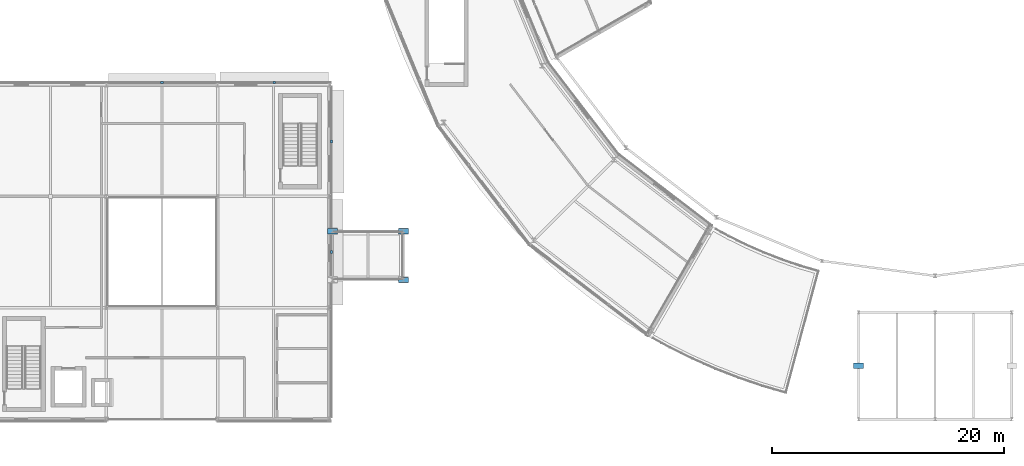
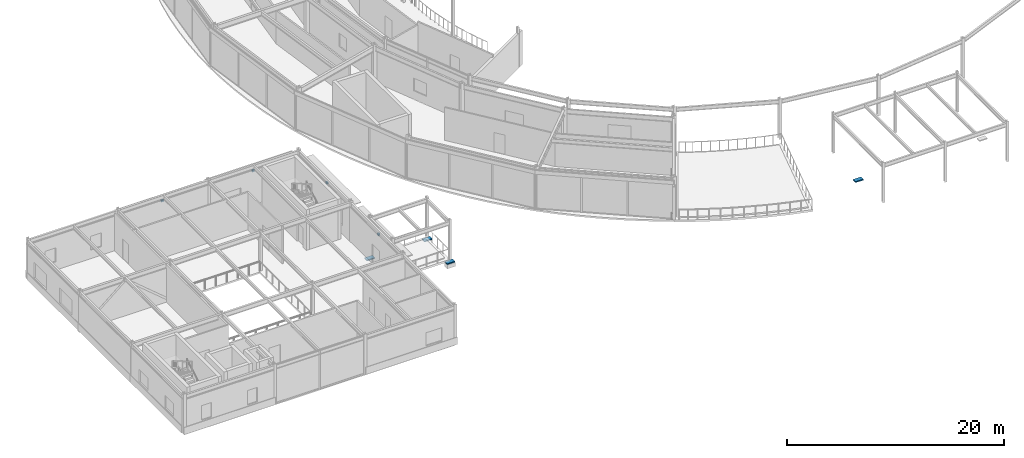
# One storey, part 130 of 157: 8 discrete accessories.
"""IFC4 building model written with IfcOpenShell, lengths in metres."""

from ifc_helpers import new_model, si_unit, direction, frame, origin, origin_2d, place, context, subcontext, project, spatial, rectangle, extrude, material, layer, layer_set, type_object, element, save


model = new_model("IFC4")

# Units and contexts
model_context = context("Model", 3, precision=1e-05, world=origin(), true_north=direction((0.0, 1.0)))
body_context = subcontext(model_context, "Body", "Model", "MODEL_VIEW")
ifc_project = project(units=[si_unit("LENGTHUNIT", "METRE"), si_unit("AREAUNIT", "SQUARE_METRE"), si_unit("VOLUMEUNIT", "CUBIC_METRE"), si_unit("PLANEANGLEUNIT", "RADIAN"), si_unit("MASSUNIT", "GRAM", prefix="KILO")], contexts=[model_context])

# Site, building, storey
site_placement = place(None, origin())
site = spatial("IfcSite", under=ifc_project, at=site_placement, CompositionType="ELEMENT")
building_placement = place(site_placement, origin())
building = spatial("IfcBuilding", under=site, at=building_placement, Name="Almandine Court Research Institute", CompositionType="ELEMENT")
storey_placement = place(building_placement, frame((0.0, 0.0, 5.25)))
storey = spatial("IfcBuildingStorey", under=building, at=storey_placement, Name="L01", CompositionType="ELEMENT", Elevation=5.25)

# Discrete accessories
ifc_material_1 = material(Name="Galvanised Steel Facade Outrigger Bracket", Category="steel")
ifc_layer_1 = layer(ifc_material_1, 0.219970703125)
ifc_layer_set_1 = layer_set([ifc_layer_1], Name="Galvanised Steel Facade Outrigger Bracket")
discrete_accessory_type_1 = type_object("IfcDiscreteAccessoryType", Name="Acc-CHJ-BRACKET", PredefinedType="BRACKET", material=ifc_layer_set_1)
for number, where, z_axis, x_axis, name in (
    (1, (20.39990234375, 35.014892578125, 3.4541015625), (0.0, 0.0, 1.0), (1.0, 0.0, 0.0), "L01 Chhajja Outrigger Bracket 4"),
    (2, (30.0791015625, 35.014892578125, 3.4541015625), (0.0, 0.0, 1.0), (1.0, 0.0, 0.0), "L01 Chhajja Outrigger Bracket 5"),
    (3, (35.0048828125, 20.39990234375, 3.43212890625), (0.0, 0.0, 1.0), (0.0, -1.0, 0.0), "L01 Chhajja Outrigger Bracket 6"),
    (4, (35.0048828125, 29.927978515625, 3.4541015625), (0.0, 0.0, 1.0), (0.0, -1.0, 0.0), "L01 Chhajja Outrigger Bracket 7"),
):
    element("IfcDiscreteAccessory", number, at=place(storey_placement, frame(where, z_axis=z_axis, x_axis=x_axis)), inside=storey, type_object=discrete_accessory_type_1, Name=name, PredefinedType="BRACKET", context=body_context, shape_type="SweptSolid", body=[
        extrude(rectangle(XDim=0.239990234375, YDim=0.179931640625, at=origin_2d()), origin(), (0.0, 0.0, 1.0), 0.219970703125),
    ])
ifc_material_2 = material(Name="Elastomeric PTFE Sliding Bearing Assembly")
ifc_layer_2 = layer(ifc_material_2, 0.1201171875)
ifc_layer_set_2 = layer_set([ifc_layer_2], Name="Elastomeric PTFE Sliding Bearing Assembly")
discrete_accessory_type_2 = type_object("IfcDiscreteAccessoryType", Name="Acc-PTFE-Bearing", PredefinedType="BRACKET", material=ifc_layer_set_2)
for number, where, z_axis, x_axis, name in (
    (5, (35.10009765625, 22.199951171875, -0.35009765625), (0.0, 0.0, 1.0), (1.0, 0.0, 0.0), "Unguided PTFE Multi-Directional Sliding Bearing DAL-SW-1-2"),
    (6, (41.199951171875, 18.0, -0.35009765625), (0.0, 0.0, 1.0), (1.0, 0.0, 0.0), "Unguided PTFE Multi-Directional Sliding Bearing DAL-SW-2-1"),
    (7, (41.199951171875, 22.199951171875, -0.35009765625), (0.0, 0.0, 1.0), (1.0, 0.0, 0.0), "Unguided PTFE Multi-Directional Sliding Bearing DAL-SW-2-2"),
    (8, (80.39990234375, 10.60009765625, -0.35009765625), (0.0, 0.0, 1.0), (1.0, 0.0, 0.0), "Unguided PTFE Multi-Directional Sliding Bearing PSH-S-1-1"),
):
    element("IfcDiscreteAccessory", number, at=place(storey_placement, frame(where, z_axis=z_axis, x_axis=x_axis)), inside=storey, type_object=discrete_accessory_type_2, Name=name, PredefinedType="BRACKET", context=body_context, shape_type="SweptSolid", body=[
        extrude(rectangle(XDim=0.85009765625, YDim=0.449951171875, at=origin_2d()), origin(), (0.0, 0.0, 1.0), 0.1201171875),
    ])

save(model, "model.ifc")
